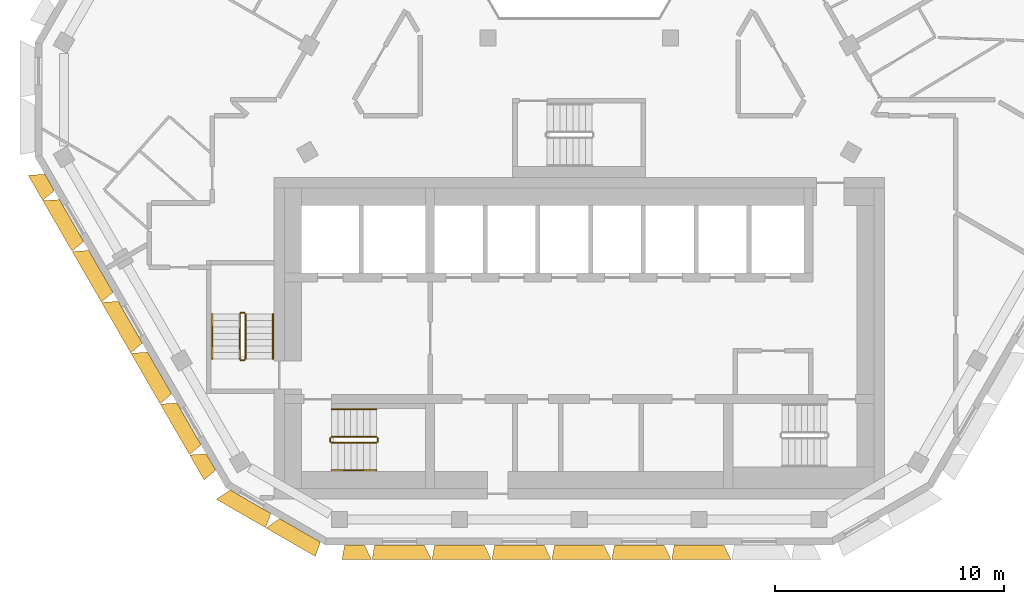
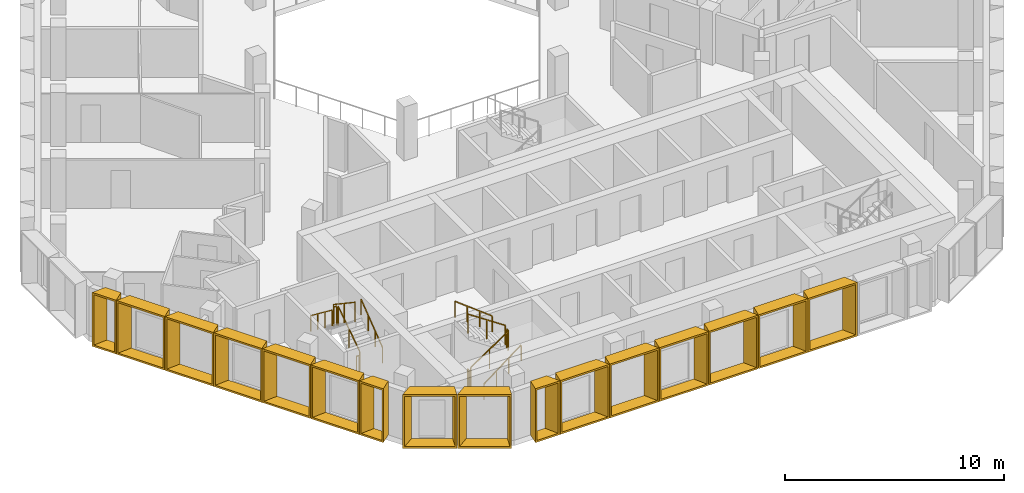
# One storey, part 10 of 14: 16 shading devices, 12 railings.
"""IFC4 building model written with IfcOpenShell, lengths in metres."""

from ifc_helpers import new_model, entity, si_unit, direction, frame, origin, origin_2d, place, context, subcontext, project, spatial, rectangle, extrude, source, transform, mapped, material, type_object, type_shapes, element, save


model = new_model("IFC4")

# Units and contexts
model_context = context("Model", 3, precision=1e-05, world=origin(), true_north=direction((0.0, 1.0)))
body_context = subcontext(model_context, "Body", "Model", "MODEL_VIEW")
ifc_project = project(units=[si_unit("LENGTHUNIT", "METRE"), si_unit("AREAUNIT", "SQUARE_METRE"), si_unit("VOLUMEUNIT", "CUBIC_METRE"), si_unit("PLANEANGLEUNIT", "RADIAN"), si_unit("MASSUNIT", "GRAM", prefix="KILO")], contexts=[model_context])

# Site, building, storey
site_placement = place(None, origin())
site = spatial("IfcSite", under=ifc_project, at=site_placement, CompositionType="ELEMENT")
building_placement = place(site_placement, origin())
building = spatial("IfcBuilding", under=site, at=building_placement, Name="Beryl Residences", CompositionType="ELEMENT")
storey_placement = place(building_placement, frame((0.0, 0.0, 223.800048828125)))
storey = spatial("IfcBuildingStorey", under=building, at=storey_placement, Name="L69", CompositionType="ELEMENT", Elevation=223.800048828125)

# Shading devices
ifc_material_1 = material(Name="Aluminium pale anodised", Category="aluminium")
shading_device_type_1 = type_object("IfcShadingDeviceType", Name="FR128-65B OUTER SKIN frame 650 mm deep, splay 26/10 deg, 1280 x 3000 mm cell", PredefinedType="USERDEFINED", material=ifc_material_1)
cartesian_point_1 = entity("IfcCartesianPoint", [-0.4140625, 0.0])
cartesian_point_2 = entity("IfcCartesianPoint", [-0.324951171875, 0.10009765625])
cartesian_point_3 = entity("IfcCartesianPoint", [-0.73095703125, 0.0])
cartesian_point_4 = entity("IfcCartesianPoint", [-0.64208984375, 0.10009765625])
shared_shape_1 = source(origin(), body_context, "Body", "SweptSolid", [
    entity("IfcExtrudedAreaSolidTapered", entity("IfcArbitraryProfileDefWithVoids", "AREA", None, entity("IfcPolyline", [cartesian_point_1, entity("IfcCartesianPoint", [0.4140625, 0.0]), entity("IfcCartesianPoint", [0.4140625, 3.0]), entity("IfcCartesianPoint", [-0.4140625, 3.0]), cartesian_point_1]), [entity("IfcPolyline", [cartesian_point_2, entity("IfcCartesianPoint", [0.332763671875, 0.10009765625]), entity("IfcCartesianPoint", [0.332763671875, 2.89990234375]), entity("IfcCartesianPoint", [-0.324951171875, 2.89990234375]), cartesian_point_2])]), entity("IfcAxis2Placement3D", entity("IfcCartesianPoint", [0.0, 0.0, 0.0]), entity("IfcDirection", [0.0, 1.0, 0.0]), entity("IfcDirection", [-1.0, 0.0, 0.0])), entity("IfcDirection", [0.0, 0.0, 1.0]), 0.64990234375, entity("IfcArbitraryProfileDefWithVoids", "AREA", None, entity("IfcPolyline", [cartesian_point_3, entity("IfcCartesianPoint", [0.528564453125, 0.0]), entity("IfcCartesianPoint", [0.528564453125, 3.0]), entity("IfcCartesianPoint", [-0.73095703125, 3.0]), cartesian_point_3]), [entity("IfcPolyline", [cartesian_point_4, entity("IfcCartesianPoint", [0.447265625, 0.10009765625]), entity("IfcCartesianPoint", [0.447265625, 2.89990234375]), entity("IfcCartesianPoint", [-0.64208984375, 2.89990234375]), cartesian_point_4])])),
])
type_shapes(shading_device_type_1, [shared_shape_1])
for number, where, z_axis, x_axis, name in (
    (1, (-23.091064453125, -5.2041015625, 0.0), (0.0, 0.0, 1.0), (-0.5, 0.866025403784, 0.0), "FR128-65B frame L69 SW 1"),
    (2, (-16.052978515625, -17.39501953125, 0.0), (0.0, 0.0, 1.0), (-0.5, 0.866025403784, 0.0), "FR128-65B frame L69 SW 7"),
):
    element("IfcShadingDevice", number, at=place(storey_placement, frame(where, z_axis=z_axis, x_axis=x_axis)), inside=storey, type_object=shading_device_type_1, Name=name, ObjectType="OUTER SKIN", PredefinedType="USERDEFINED", context=body_context, shape_type="MappedRepresentation", body=[
        mapped(shared_shape_1, transform((0.0, 0.0, 0.0))),
    ])
ifc_material_2 = material(Name="Aluminium pale anodised", Category="aluminium")
shading_device_type_2 = type_object("IfcShadingDeviceType", Name="FR131-65C OUTER SKIN frame 650 mm deep, splay 10/26 deg, 1310 x 3000 mm cell", PredefinedType="USERDEFINED", material=ifc_material_2)
cartesian_point_5 = entity("IfcCartesianPoint", [-0.428955078125, 0.0])
cartesian_point_6 = entity("IfcCartesianPoint", [-0.34765625, 0.10009765625])
cartesian_point_7 = entity("IfcCartesianPoint", [-0.543701171875, 0.0])
cartesian_point_8 = entity("IfcCartesianPoint", [-0.46240234375, 0.10009765625])
shared_shape_2 = source(origin(), body_context, "Body", "SweptSolid", [
    entity("IfcExtrudedAreaSolidTapered", entity("IfcArbitraryProfileDefWithVoids", "AREA", None, entity("IfcPolyline", [cartesian_point_5, entity("IfcCartesianPoint", [0.428955078125, 0.0]), entity("IfcCartesianPoint", [0.428955078125, 3.0]), entity("IfcCartesianPoint", [-0.428955078125, 3.0]), cartesian_point_5]), [entity("IfcPolyline", [cartesian_point_6, entity("IfcCartesianPoint", [0.340087890625, 0.10009765625]), entity("IfcCartesianPoint", [0.340087890625, 2.89990234375]), entity("IfcCartesianPoint", [-0.34765625, 2.89990234375]), cartesian_point_6])]), entity("IfcAxis2Placement3D", entity("IfcCartesianPoint", [0.0, 0.0, 0.0]), entity("IfcDirection", [0.0, 1.0, 0.0]), entity("IfcDirection", [-1.0, 0.0, 0.0])), entity("IfcDirection", [0.0, 0.0, 1.0]), 0.64990234375, entity("IfcArbitraryProfileDefWithVoids", "AREA", None, entity("IfcPolyline", [cartesian_point_7, entity("IfcCartesianPoint", [0.74609375, 0.0]), entity("IfcCartesianPoint", [0.74609375, 3.0]), entity("IfcCartesianPoint", [-0.543701171875, 3.0]), cartesian_point_7]), [entity("IfcPolyline", [cartesian_point_8, entity("IfcCartesianPoint", [0.656982421875, 0.10009765625]), entity("IfcCartesianPoint", [0.656982421875, 2.89990234375]), entity("IfcCartesianPoint", [-0.46240234375, 2.89990234375]), cartesian_point_8])])),
])
type_shapes(shading_device_type_2, [shared_shape_2])
shading_device_placement = place(storey_placement, frame((-9.797119140625, -21.0, 0.0), z_axis=(0.0, 0.0, 1.0), x_axis=(-1.0, 0.0, 0.0)))
element("IfcShadingDevice", 3, at=shading_device_placement, inside=storey, type_object=shading_device_type_2, Name="FR131-65C frame L69 S 1", ObjectType="OUTER SKIN", PredefinedType="USERDEFINED", context=body_context, shape_type="MappedRepresentation", body=[
    mapped(shared_shape_2, transform((0.0, 0.0, 0.0))),
])
ifc_material_3 = material(Name="Aluminium pale anodised", Category="aluminium")
shading_device_type_3 = type_object("IfcShadingDeviceType", Name="FR250-65B OUTER SKIN frame 650 mm deep, splay 26/10 deg, 2500 x 3000 mm cell", PredefinedType="USERDEFINED", material=ifc_material_3)
cartesian_point_9 = entity("IfcCartesianPoint", [-1.02392578125, 0.0])
cartesian_point_10 = entity("IfcCartesianPoint", [-0.93505859375, 0.10009765625])
cartesian_point_11 = entity("IfcCartesianPoint", [-1.341064453125, 0.0])
cartesian_point_12 = entity("IfcCartesianPoint", [-1.251953125, 0.10009765625])
shared_shape_3 = source(origin(), body_context, "Body", "SweptSolid", [
    entity("IfcExtrudedAreaSolidTapered", entity("IfcArbitraryProfileDefWithVoids", "AREA", None, entity("IfcPolyline", [cartesian_point_9, entity("IfcCartesianPoint", [1.02392578125, 0.0]), entity("IfcCartesianPoint", [1.02392578125, 3.0]), entity("IfcCartesianPoint", [-1.02392578125, 3.0]), cartesian_point_9]), [entity("IfcPolyline", [cartesian_point_10, entity("IfcCartesianPoint", [0.94287109375, 0.10009765625]), entity("IfcCartesianPoint", [0.94287109375, 2.89990234375]), entity("IfcCartesianPoint", [-0.93505859375, 2.89990234375]), cartesian_point_10])]), entity("IfcAxis2Placement3D", entity("IfcCartesianPoint", [0.0, 0.0, 0.0]), entity("IfcDirection", [0.0, 1.0, 0.0]), entity("IfcDirection", [-1.0, 0.0, 0.0])), entity("IfcDirection", [0.0, 0.0, 1.0]), 0.64990234375, entity("IfcArbitraryProfileDefWithVoids", "AREA", None, entity("IfcPolyline", [cartesian_point_11, entity("IfcCartesianPoint", [1.138671875, 0.0]), entity("IfcCartesianPoint", [1.138671875, 3.0]), entity("IfcCartesianPoint", [-1.341064453125, 3.0]), cartesian_point_11]), [entity("IfcPolyline", [cartesian_point_12, entity("IfcCartesianPoint", [1.057373046875, 0.10009765625]), entity("IfcCartesianPoint", [1.057373046875, 2.89990234375]), entity("IfcCartesianPoint", [-1.251953125, 2.89990234375]), cartesian_point_12])])),
])
type_shapes(shading_device_type_3, [shared_shape_3])
for number, where, z_axis, x_axis, name in (
    (4, (-14.33203125, -19.125, 0.0), (0.0, 0.0, 1.0), (-0.866025403784, 0.5, 0.0), "FR250-65B frame L69 SW-S 1"),
    (5, (-12.16796875, -20.375, 0.0), (0.0, 0.0, 1.0), (-0.866025403784, 0.5, 0.0), "FR250-65B frame L69 SW-S 2"),
):
    element("IfcShadingDevice", number, at=place(storey_placement, frame(where, z_axis=z_axis, x_axis=x_axis)), inside=storey, type_object=shading_device_type_3, Name=name, ObjectType="OUTER SKIN", PredefinedType="USERDEFINED", context=body_context, shape_type="MappedRepresentation", body=[
        mapped(shared_shape_3, transform((0.0, 0.0, 0.0))),
    ])
ifc_material_4 = material(Name="Aluminium pale anodised", Category="aluminium")
shading_device_type_4 = type_object("IfcShadingDeviceType", Name="FR256-65B OUTER SKIN frame 650 mm deep, splay 26/10 deg, 2560 x 3000 mm cell", PredefinedType="USERDEFINED", material=ifc_material_4)
cartesian_point_13 = entity("IfcCartesianPoint", [-1.053955078125, 0.0])
cartesian_point_14 = entity("IfcCartesianPoint", [-0.965087890625, 0.10009765625])
cartesian_point_15 = entity("IfcCartesianPoint", [-1.37109375, 0.0])
cartesian_point_16 = entity("IfcCartesianPoint", [-1.281982421875, 0.10009765625])
shared_shape_4 = source(origin(), body_context, "Body", "SweptSolid", [
    entity("IfcExtrudedAreaSolidTapered", entity("IfcArbitraryProfileDefWithVoids", "AREA", None, entity("IfcPolyline", [cartesian_point_13, entity("IfcCartesianPoint", [1.053955078125, 0.0]), entity("IfcCartesianPoint", [1.053955078125, 3.0]), entity("IfcCartesianPoint", [-1.053955078125, 3.0]), cartesian_point_13]), [entity("IfcPolyline", [cartesian_point_14, entity("IfcCartesianPoint", [0.97265625, 0.10009765625]), entity("IfcCartesianPoint", [0.97265625, 2.89990234375]), entity("IfcCartesianPoint", [-0.965087890625, 2.89990234375]), cartesian_point_14])]), entity("IfcAxis2Placement3D", entity("IfcCartesianPoint", [0.0, 0.0, 0.0]), entity("IfcDirection", [0.0, 1.0, 0.0]), entity("IfcDirection", [-1.0, 0.0, 0.0])), entity("IfcDirection", [0.0, 0.0, 1.0]), 0.64990234375, entity("IfcArbitraryProfileDefWithVoids", "AREA", None, entity("IfcPolyline", [cartesian_point_15, entity("IfcCartesianPoint", [1.168701171875, 0.0]), entity("IfcCartesianPoint", [1.168701171875, 3.0]), entity("IfcCartesianPoint", [-1.37109375, 3.0]), cartesian_point_15]), [entity("IfcPolyline", [cartesian_point_16, entity("IfcCartesianPoint", [1.08740234375, 0.10009765625]), entity("IfcCartesianPoint", [1.08740234375, 2.89990234375]), entity("IfcCartesianPoint", [-1.281982421875, 2.89990234375]), cartesian_point_16])])),
])
type_shapes(shading_device_type_4, [shared_shape_4])
for number, where, z_axis, x_axis, name in (
    (6, (-22.132080078125, -6.865966796875, 0.0), (0.0, 0.0, 1.0), (-0.5, 0.866025403784, 0.0), "FR256-65B frame L69 SW 2"),
    (7, (-20.85205078125, -9.0830078125, 0.0), (0.0, 0.0, 1.0), (-0.5, 0.866025403784, 0.0), "FR256-65B frame L69 SW 3"),
    (8, (-19.572021484375, -11.300048828125, 0.0), (0.0, 0.0, 1.0), (-0.5, 0.866025403784, 0.0), "FR256-65B frame L69 SW 4"),
    (9, (-18.29296875, -13.51611328125, 0.0), (0.0, 0.0, 1.0), (-0.5, 0.866025403784, 0.0), "FR256-65B frame L69 SW 5"),
    (10, (-17.012939453125, -15.73291015625, 0.0), (0.0, 0.0, 1.0), (-0.5, 0.866025403784, 0.0), "FR256-65B frame L69 SW 6"),
):
    element("IfcShadingDevice", number, at=place(storey_placement, frame(where, z_axis=z_axis, x_axis=x_axis)), inside=storey, type_object=shading_device_type_4, Name=name, ObjectType="OUTER SKIN", PredefinedType="USERDEFINED", context=body_context, shape_type="MappedRepresentation", body=[
        mapped(shared_shape_4, transform((0.0, 0.0, 0.0))),
    ])
ifc_material_5 = material(Name="Aluminium pale anodised", Category="aluminium")
shading_device_type_5 = type_object("IfcShadingDeviceType", Name="FR261-65C OUTER SKIN frame 650 mm deep, splay 10/26 deg, 2610 x 3000 mm cell", PredefinedType="USERDEFINED", material=ifc_material_5)
cartesian_point_17 = entity("IfcCartesianPoint", [-1.0791015625, 0.0])
cartesian_point_18 = entity("IfcCartesianPoint", [-0.997802734375, 0.10009765625])
cartesian_point_19 = entity("IfcCartesianPoint", [-1.193603515625, 0.0])
cartesian_point_20 = entity("IfcCartesianPoint", [-1.1123046875, 0.10009765625])
shared_shape_5 = source(origin(), body_context, "Body", "SweptSolid", [
    entity("IfcExtrudedAreaSolidTapered", entity("IfcArbitraryProfileDefWithVoids", "AREA", None, entity("IfcPolyline", [cartesian_point_17, entity("IfcCartesianPoint", [1.0791015625, 0.0]), entity("IfcCartesianPoint", [1.0791015625, 3.0]), entity("IfcCartesianPoint", [-1.0791015625, 3.0]), cartesian_point_17]), [entity("IfcPolyline", [cartesian_point_18, entity("IfcCartesianPoint", [0.989990234375, 0.10009765625]), entity("IfcCartesianPoint", [0.989990234375, 2.89990234375]), entity("IfcCartesianPoint", [-0.997802734375, 2.89990234375]), cartesian_point_18])]), entity("IfcAxis2Placement3D", entity("IfcCartesianPoint", [0.0, 0.0, 0.0]), entity("IfcDirection", [0.0, 1.0, 0.0]), entity("IfcDirection", [-1.0, 0.0, 0.0])), entity("IfcDirection", [0.0, 0.0, 1.0]), 0.64990234375, entity("IfcArbitraryProfileDefWithVoids", "AREA", None, entity("IfcPolyline", [cartesian_point_19, entity("IfcCartesianPoint", [1.39599609375, 0.0]), entity("IfcCartesianPoint", [1.39599609375, 3.0]), entity("IfcCartesianPoint", [-1.193603515625, 3.0]), cartesian_point_19]), [entity("IfcPolyline", [cartesian_point_20, entity("IfcCartesianPoint", [1.30712890625, 0.10009765625]), entity("IfcCartesianPoint", [1.30712890625, 2.89990234375]), entity("IfcCartesianPoint", [-1.1123046875, 2.89990234375]), cartesian_point_20])])),
])
type_shapes(shading_device_type_5, [shared_shape_5])
for number, where, z_axis, x_axis, name in (
    (11, (-7.8369140625, -21.0, 0.0), (0.0, 0.0, 1.0), (-1.0, 0.0, 0.0), "FR261-65C frame L69 S 2"),
    (12, (-5.22509765625, -21.0, 0.0), (0.0, 0.0, 1.0), (-1.0, 0.0, 0.0), "FR261-65C frame L69 S 3"),
    (13, (-2.612060546875, -21.0, 0.0), (0.0, 0.0, 1.0), (-1.0, 0.0, 0.0), "FR261-65C frame L69 S 4"),
    (14, (0.0, -21.0, 0.0), (0.0, 0.0, 1.0), (-1.0, 0.0, 0.0), "FR261-65C frame L69 S 5"),
    (15, (2.612060546875, -21.0, 0.0), (0.0, 0.0, 1.0), (-1.0, 0.0, 0.0), "FR261-65C frame L69 S 6"),
    (16, (5.22509765625, -21.0, 0.0), (0.0, 0.0, 1.0), (-1.0, 0.0, 0.0), "FR261-65C frame L69 S 7"),
):
    element("IfcShadingDevice", number, at=place(storey_placement, frame(where, z_axis=z_axis, x_axis=x_axis)), inside=storey, type_object=shading_device_type_5, Name=name, ObjectType="OUTER SKIN", PredefinedType="USERDEFINED", context=body_context, shape_type="MappedRepresentation", body=[
        mapped(shared_shape_5, transform((0.0, 0.0, 0.0))),
    ])

# Railings
ifc_material_6 = material(Name="Stainless steel balustrade with glass infill", Category="steel")
railing_type_1 = type_object("IfcRailingType", Name="SG1 stair guard 1100 mm", PredefinedType="GUARDRAIL", material=ifc_material_6)
railing_1_placement = place(storey_placement, frame((-10.800048828125, -16.550048828125, 0.1875)))
element("IfcRailing", 17, at=railing_1_placement, inside=storey, type_object=railing_type_1, Name="L69 ST-1 stair guard 1", PredefinedType="GUARDRAIL", context=body_context, shape_type="SweptSolid", body=[
    extrude(rectangle(XDim=0.048095703125, YDim=0.048095703125, at=origin_2d()), frame((0.0, 0.0, 1.076171875), z_axis=(0.830902050051, 0.0, 0.556418712142), x_axis=(0.0, 1.0, 0.0)), (0.0, 0.0, 1.0), 2.35888671875),
    extrude(rectangle(XDim=0.0419921875, YDim=0.0419921875, at=origin_2d()), origin(), (0.0, 0.0, 1.0), 1.052001953125),
    extrude(rectangle(XDim=0.0419921875, YDim=0.0419921875, at=origin_2d()), frame((0.97998046875, 0.0, 0.65625)), (0.0, 0.0, 1.0), 1.052001953125),
    extrude(rectangle(XDim=0.0419921875, YDim=0.0419921875, at=origin_2d()), frame((1.9599609375, 0.0, 1.3125)), (0.0, 0.0, 1.0), 1.052001953125),
])
railing_2_placement = place(storey_placement, frame((-8.7900390625, -16.5, 1.5)))
element("IfcRailing", 18, at=railing_2_placement, inside=storey, type_object=railing_type_1, Name="L69 ST-1 stair guard 2", PredefinedType="GUARDRAIL", context=body_context, shape_type="SweptSolid", body=[
    extrude(rectangle(XDim=0.048095703125, YDim=0.048095703125, at=origin_2d()), frame((0.0, 0.0, 1.076171875), z_axis=(0.0, 1.0, 0.0), x_axis=(-1.0, 0.0, 0.0)), (0.0, 0.0, 1.0), 0.14990234375),
    extrude(rectangle(XDim=0.0419921875, YDim=0.0419921875, at=origin_2d()), origin(), (0.0, 0.0, 1.0), 1.052001953125),
    extrude(rectangle(XDim=0.0419921875, YDim=0.0419921875, at=origin_2d()), frame((0.0, 0.14990234375, 0.0)), (0.0, 0.0, 1.0), 1.052001953125),
])
railing_3_placement = place(storey_placement, frame((-8.840087890625, -16.300048828125, 1.6875)))
element("IfcRailing", 19, at=railing_3_placement, inside=storey, type_object=railing_type_1, Name="L69 ST-1 stair guard 3", PredefinedType="GUARDRAIL", context=body_context, shape_type="SweptSolid", body=[
    extrude(rectangle(XDim=0.048095703125, YDim=0.048095703125, at=origin_2d()), frame((0.0, 0.0, 1.076171875), z_axis=(-0.830902050051, 0.0, 0.556418712142), x_axis=(0.0, -1.0, 0.0)), (0.0, 0.0, 1.0), 2.35888671875),
    extrude(rectangle(XDim=0.0419921875, YDim=0.0419921875, at=origin_2d()), origin(), (0.0, 0.0, 1.0), 1.052001953125),
    extrude(rectangle(XDim=0.0419921875, YDim=0.0419921875, at=origin_2d()), frame((-0.97998046875, 0.0, 0.65625)), (0.0, 0.0, 1.0), 1.052001953125),
    extrude(rectangle(XDim=0.0419921875, YDim=0.0419921875, at=origin_2d()), frame((-1.9599609375, 0.0, 1.3125)), (0.0, 0.0, 1.0), 1.052001953125),
])
railing_4_placement = place(storey_placement, frame((-10.85009765625, -16.5, 0.0)))
element("IfcRailing", 20, at=railing_4_placement, inside=storey, type_object=railing_type_1, Name="L69 ST-1 stair guard 4", PredefinedType="GUARDRAIL", context=body_context, shape_type="SweptSolid", body=[
    extrude(rectangle(XDim=0.048095703125, YDim=0.048095703125, at=origin_2d()), frame((0.0, 0.0, 1.076171875), z_axis=(0.0, 1.0, 0.0), x_axis=(-1.0, 0.0, 0.0)), (0.0, 0.0, 1.0), 0.14990234375),
    extrude(rectangle(XDim=0.0419921875, YDim=0.0419921875, at=origin_2d()), origin(), (0.0, 0.0, 1.0), 1.052001953125),
    extrude(rectangle(XDim=0.0419921875, YDim=0.0419921875, at=origin_2d()), frame((0.0, 0.14990234375, 0.0)), (0.0, 0.0, 1.0), 1.052001953125),
])
railing_5_placement = place(storey_placement, frame((-14.550048828125, -12.89990234375, 0.1875)))
element("IfcRailing", 21, at=railing_5_placement, inside=storey, type_object=railing_type_1, Name="L69 ST-2 stair guard 1", PredefinedType="GUARDRAIL", context=body_context, shape_type="SweptSolid", body=[
    extrude(rectangle(XDim=0.048095703125, YDim=0.048095703125, at=origin_2d()), frame((0.0, 0.0, 1.076171875), z_axis=(0.0, 0.830902050051, 0.556418712142), x_axis=(-1.0, 0.0, 0.0)), (0.0, 0.0, 1.0), 2.35888671875),
    extrude(rectangle(XDim=0.0419921875, YDim=0.0419921875, at=origin_2d()), origin(), (0.0, 0.0, 1.0), 1.052001953125),
    extrude(rectangle(XDim=0.0419921875, YDim=0.0419921875, at=origin_2d()), frame((0.0, 0.97998046875, 0.65625)), (0.0, 0.0, 1.0), 1.052001953125),
    extrude(rectangle(XDim=0.0419921875, YDim=0.0419921875, at=origin_2d()), frame((0.0, 1.9599609375, 1.3125)), (0.0, 0.0, 1.0), 1.052001953125),
])
railing_6_placement = place(storey_placement, frame((-14.60009765625, -10.889892578125, 1.5)))
element("IfcRailing", 22, at=railing_6_placement, inside=storey, type_object=railing_type_1, Name="L69 ST-2 stair guard 2", PredefinedType="GUARDRAIL", context=body_context, shape_type="SweptSolid", body=[
    extrude(rectangle(XDim=0.048095703125, YDim=0.048095703125, at=origin_2d()), frame((0.0, 0.0, 1.076171875), z_axis=(-1.0, 0.0, 0.0), x_axis=(0.0, -1.0, 0.0)), (0.0, 0.0, 1.0), 0.14990234375),
    extrude(rectangle(XDim=0.0419921875, YDim=0.0419921875, at=origin_2d()), origin(), (0.0, 0.0, 1.0), 1.052001953125),
    extrude(rectangle(XDim=0.0419921875, YDim=0.0419921875, at=origin_2d()), frame((-0.14990234375, 0.0, 0.0)), (0.0, 0.0, 1.0), 1.052001953125),
])
railing_7_placement = place(storey_placement, frame((-14.800048828125, -10.93994140625, 1.6875)))
element("IfcRailing", 23, at=railing_7_placement, inside=storey, type_object=railing_type_1, Name="L69 ST-2 stair guard 3", PredefinedType="GUARDRAIL", context=body_context, shape_type="SweptSolid", body=[
    extrude(rectangle(XDim=0.048095703125, YDim=0.048095703125, at=origin_2d()), frame((0.0, 0.0, 1.076171875), z_axis=(0.0, -0.830902050051, 0.556418712142), x_axis=(1.0, 0.0, 0.0)), (0.0, 0.0, 1.0), 2.35888671875),
    extrude(rectangle(XDim=0.0419921875, YDim=0.0419921875, at=origin_2d()), origin(), (0.0, 0.0, 1.0), 1.052001953125),
    extrude(rectangle(XDim=0.0419921875, YDim=0.0419921875, at=origin_2d()), frame((0.0, -0.97998046875, 0.65625)), (0.0, 0.0, 1.0), 1.052001953125),
    extrude(rectangle(XDim=0.0419921875, YDim=0.0419921875, at=origin_2d()), frame((0.0, -1.9599609375, 1.3125)), (0.0, 0.0, 1.0), 1.052001953125),
])
railing_8_placement = place(storey_placement, frame((-14.60009765625, -12.949951171875, 0.0)))
element("IfcRailing", 24, at=railing_8_placement, inside=storey, type_object=railing_type_1, Name="L69 ST-2 stair guard 4", PredefinedType="GUARDRAIL", context=body_context, shape_type="SweptSolid", body=[
    extrude(rectangle(XDim=0.048095703125, YDim=0.048095703125, at=origin_2d()), frame((0.0, 0.0, 1.076171875), z_axis=(-1.0, 0.0, 0.0), x_axis=(0.0, -1.0, 0.0)), (0.0, 0.0, 1.0), 0.14990234375),
    extrude(rectangle(XDim=0.0419921875, YDim=0.0419921875, at=origin_2d()), origin(), (0.0, 0.0, 1.0), 1.052001953125),
    extrude(rectangle(XDim=0.0419921875, YDim=0.0419921875, at=origin_2d()), frame((-0.14990234375, 0.0, 0.0)), (0.0, 0.0, 1.0), 1.052001953125),
])
ifc_material_7 = material(Name="Stainless steel handrail", Category="steel")
railing_type_2 = type_object("IfcRailingType", Name="SRL1 stair handrail 900 mm", PredefinedType="HANDRAIL", material=ifc_material_7)
railing_9_placement = place(storey_placement, frame((-10.800048828125, -17.75, 0.1875)))
element("IfcRailing", 25, at=railing_9_placement, inside=storey, type_object=railing_type_2, Name="L69 ST-1 stair handrail 1", PredefinedType="HANDRAIL", context=body_context, shape_type="SweptSolid", body=[
    extrude(rectangle(XDim=0.048095703125, YDim=0.048095703125, at=origin_2d()), frame((0.0, 0.0, 0.8759765625), z_axis=(0.794121922505, 0.0, 0.607758481798), x_axis=(0.0, 1.0, 0.0)), (0.0, 0.0, 1.0), 2.468017578125),
    extrude(rectangle(XDim=0.0419921875, YDim=0.0419921875, at=origin_2d()), origin(), (0.0, 0.0, 1.0), 0.851806640625),
    extrude(rectangle(XDim=0.0419921875, YDim=0.0419921875, at=origin_2d()), frame((0.6533203125, 0.0, 0.5)), (0.0, 0.0, 1.0), 0.851806640625),
    extrude(rectangle(XDim=0.0419921875, YDim=0.0419921875, at=origin_2d()), frame((1.306640625, 0.0, 1.0)), (0.0, 0.0, 1.0), 0.851806640625),
    extrude(rectangle(XDim=0.0419921875, YDim=0.0419921875, at=origin_2d()), frame((1.9599609375, 0.0, 1.5)), (0.0, 0.0, 1.0), 0.851806640625),
])
railing_10_placement = place(storey_placement, frame((-8.840087890625, -15.10009765625, 1.6875)))
element("IfcRailing", 26, at=railing_10_placement, inside=storey, type_object=railing_type_2, Name="L69 ST-1 stair handrail 2", PredefinedType="HANDRAIL", context=body_context, shape_type="SweptSolid", body=[
    extrude(rectangle(XDim=0.048095703125, YDim=0.048095703125, at=origin_2d()), frame((0.0, 0.0, 0.8759765625), z_axis=(-0.794121922505, 0.0, 0.607758481798), x_axis=(0.0, -1.0, 0.0)), (0.0, 0.0, 1.0), 2.468017578125),
    extrude(rectangle(XDim=0.0419921875, YDim=0.0419921875, at=origin_2d()), origin(), (0.0, 0.0, 1.0), 0.851806640625),
    extrude(rectangle(XDim=0.0419921875, YDim=0.0419921875, at=origin_2d()), frame((-0.6533203125, 0.0, 0.5)), (0.0, 0.0, 1.0), 0.851806640625),
    extrude(rectangle(XDim=0.0419921875, YDim=0.0419921875, at=origin_2d()), frame((-1.306640625, 0.0, 1.0)), (0.0, 0.0, 1.0), 0.851806640625),
    extrude(rectangle(XDim=0.0419921875, YDim=0.0419921875, at=origin_2d()), frame((-1.9599609375, 0.0, 1.5)), (0.0, 0.0, 1.0), 0.851806640625),
])
railing_11_placement = place(storey_placement, frame((-13.35009765625, -12.89990234375, 0.1875)))
element("IfcRailing", 27, at=railing_11_placement, inside=storey, type_object=railing_type_2, Name="L69 ST-2 stair handrail 1", PredefinedType="HANDRAIL", context=body_context, shape_type="SweptSolid", body=[
    extrude(rectangle(XDim=0.048095703125, YDim=0.048095703125, at=origin_2d()), frame((0.0, 0.0, 0.8759765625), z_axis=(0.0, 0.794121922505, 0.607758481798), x_axis=(-1.0, 0.0, 0.0)), (0.0, 0.0, 1.0), 2.468017578125),
    extrude(rectangle(XDim=0.0419921875, YDim=0.0419921875, at=origin_2d()), origin(), (0.0, 0.0, 1.0), 0.851806640625),
    extrude(rectangle(XDim=0.0419921875, YDim=0.0419921875, at=origin_2d()), frame((0.0, 0.6533203125, 0.5)), (0.0, 0.0, 1.0), 0.851806640625),
    extrude(rectangle(XDim=0.0419921875, YDim=0.0419921875, at=origin_2d()), frame((0.0, 1.306640625, 1.0)), (0.0, 0.0, 1.0), 0.851806640625),
    extrude(rectangle(XDim=0.0419921875, YDim=0.0419921875, at=origin_2d()), frame((0.0, 1.9599609375, 1.5)), (0.0, 0.0, 1.0), 0.851806640625),
])
railing_12_placement = place(storey_placement, frame((-16.0, -10.93994140625, 1.6875)))
element("IfcRailing", 28, at=railing_12_placement, inside=storey, type_object=railing_type_2, Name="L69 ST-2 stair handrail 2", PredefinedType="HANDRAIL", context=body_context, shape_type="SweptSolid", body=[
    extrude(rectangle(XDim=0.048095703125, YDim=0.048095703125, at=origin_2d()), frame((0.0, 0.0, 0.8759765625), z_axis=(0.0, -0.794121922505, 0.607758481798), x_axis=(1.0, 0.0, 0.0)), (0.0, 0.0, 1.0), 2.468017578125),
    extrude(rectangle(XDim=0.0419921875, YDim=0.0419921875, at=origin_2d()), origin(), (0.0, 0.0, 1.0), 0.851806640625),
    extrude(rectangle(XDim=0.0419921875, YDim=0.0419921875, at=origin_2d()), frame((0.0, -0.6533203125, 0.5)), (0.0, 0.0, 1.0), 0.851806640625),
    extrude(rectangle(XDim=0.0419921875, YDim=0.0419921875, at=origin_2d()), frame((0.0, -1.306640625, 1.0)), (0.0, 0.0, 1.0), 0.851806640625),
    extrude(rectangle(XDim=0.0419921875, YDim=0.0419921875, at=origin_2d()), frame((0.0, -1.9599609375, 1.5)), (0.0, 0.0, 1.0), 0.851806640625),
])

save(model, "model.ifc")
